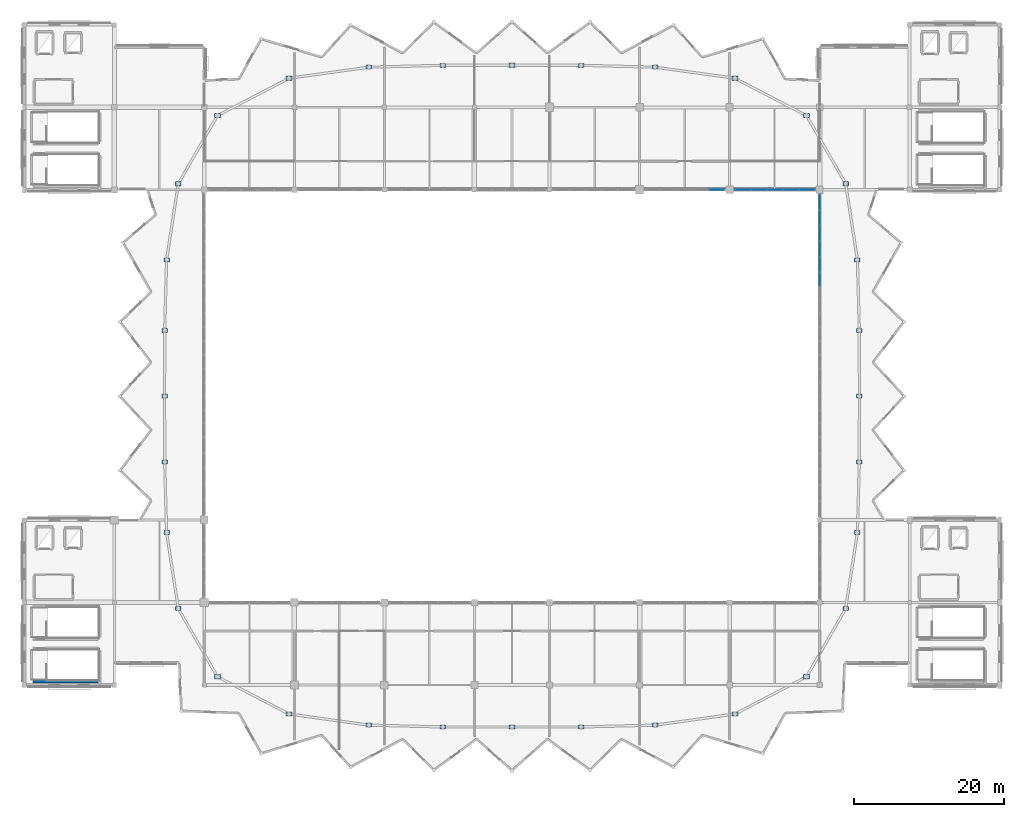
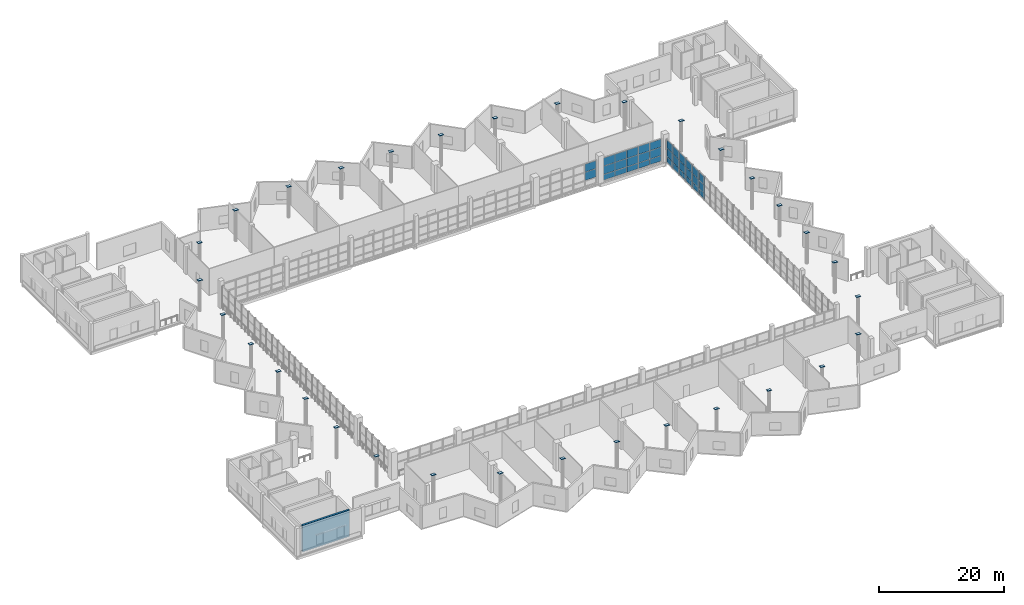
# One storey, part 35 of 49: 67 plates, 1 wall, 4 elements without a shape of their own.
"""IFC4 building model written with IfcOpenShell, lengths in metres."""

from ifc_helpers import new_model, si_unit, direction, frame, frame_2d, origin, origin_2d, place, context, subcontext, project, spatial, rectangle, extrude, material, layer, layer_set, type_object, element, aggregate, save


model = new_model("IFC4")

# Units and contexts
model_context = context("Model", 3, precision=1e-05, world=origin(), true_north=direction((0.0, 1.0)))
body_context = subcontext(model_context, "Body", "Model", "MODEL_VIEW")
ifc_project = project(units=[si_unit("LENGTHUNIT", "METRE"), si_unit("AREAUNIT", "SQUARE_METRE"), si_unit("VOLUMEUNIT", "CUBIC_METRE"), si_unit("PLANEANGLEUNIT", "RADIAN"), si_unit("MASSUNIT", "GRAM", prefix="KILO")], contexts=[model_context])

# Site, building, storey
site_placement = place(None, origin())
site = spatial("IfcSite", under=ifc_project, at=site_placement, CompositionType="ELEMENT")
building_placement = place(site_placement, origin())
building = spatial("IfcBuilding", under=site, at=building_placement, Name="Luwafu Chhajja Arena", CompositionType="ELEMENT")
storey_placement = place(building_placement, frame((0.0, 0.0, 24.300048828125)))
storey = spatial("IfcBuildingStorey", under=building, at=storey_placement, Name="L05", CompositionType="ELEMENT", Elevation=24.300048828125)

# Curtain wall, plates
ifc_material_1 = material(Name="Anodised bronze aluminium", Category="aluminium")
curtain_wall_type = type_object("IfcCurtainWallType", Name="VIP Club Terrace Curtain Wall", PredefinedType="USERDEFINED", material=ifc_material_1)
curtain_wall_1_placement = place(storey_placement, origin())
curtain_wall_1 = element("IfcCurtainWall", 1, at=curtain_wall_1_placement, inside=storey, type_object=curtain_wall_type, Name="L05 Bowl Viewing Curtain Wall CWR-L05-13", ObjectType="CURTAIN WALL", PredefinedType="USERDEFINED")
ifc_material_2 = material(Name="Solar-control laminated glass", Category="glass")
ifc_layer_1 = layer(ifc_material_2, 0.035888671875, Name="Solar-control laminated glass")
ifc_layer_set_1 = layer_set([ifc_layer_1], Name="Solar-control laminated glass")
plate_type_1 = type_object("IfcPlateType", Name="Acoustic Broadcast Double Glazed CW Panel 36", PredefinedType="CURTAIN_PANEL", material=ifc_layer_set_1)
plate_1_placement = place(storey_placement, frame((126.27685546875, 77.0, 1.182373046875), z_axis=(0.0, 0.0, 1.0), x_axis=(1.0, 0.0, 0.0)))
plate_1 = element("IfcPlate", 2, at=plate_1_placement, type_object=plate_type_1, Name="CW-10 panel 5.2", PredefinedType="CURTAIN_PANEL", context=body_context, shape_type="SweptSolid", body=[
    extrude(rectangle(XDim=2.03662109375, YDim=0.035888671875, at=origin_2d()), origin(), (0.0, 0.0, 1.0), 1.5849609375),
])
plate_2_placement = place(storey_placement, frame((126.27685546875, 77.0, 2.83251953125), z_axis=(0.0, 0.0, 1.0), x_axis=(1.0, 0.0, 0.0)))
plate_2 = element("IfcPlate", 3, at=plate_2_placement, type_object=plate_type_1, Name="CW-10 panel 5.3", PredefinedType="CURTAIN_PANEL", context=body_context, shape_type="SweptSolid", body=[
    extrude(rectangle(XDim=2.03662109375, YDim=0.035888671875, at=origin_2d()), origin(), (0.0, 0.0, 1.0), 1.552490234375),
])
aggregate(curtain_wall_1, [plate_1, plate_2])

curtain_wall_2_placement = place(storey_placement, origin())
curtain_wall_2 = element("IfcCurtainWall", 4, at=curtain_wall_2_placement, inside=storey, type_object=curtain_wall_type, Name="L05 Bowl Viewing Curtain Wall CWR-L05-14", ObjectType="CURTAIN WALL", PredefinedType="USERDEFINED")
plate_3_placement = place(storey_placement, frame((129.730712890625, 77.0, 0.06494140625), z_axis=(0.0, 0.0, 1.0), x_axis=(1.0, 0.0, 0.0)))
plate_3 = element("IfcPlate", 5, at=plate_3_placement, type_object=plate_type_1, Name="CW-10 panel 1.1", PredefinedType="CURTAIN_PANEL", context=body_context, shape_type="SweptSolid", body=[
    extrude(rectangle(XDim=2.051513671875, YDim=0.035888671875, at=origin_2d()), origin(), (0.0, 0.0, 1.0), 1.052490234375),
])
plate_4_placement = place(storey_placement, frame((129.730712890625, 77.0, 1.182373046875), z_axis=(0.0, 0.0, 1.0), x_axis=(1.0, 0.0, 0.0)))
plate_4 = element("IfcPlate", 6, at=plate_4_placement, type_object=plate_type_1, Name="CW-10 panel 1.2", PredefinedType="CURTAIN_PANEL", context=body_context, shape_type="SweptSolid", body=[
    extrude(rectangle(XDim=2.051513671875, YDim=0.035888671875, at=origin_2d()), origin(), (0.0, 0.0, 1.0), 1.5849609375),
])
plate_5_placement = place(storey_placement, frame((129.730712890625, 77.0, 2.83251953125), z_axis=(0.0, 0.0, 1.0), x_axis=(1.0, 0.0, 0.0)))
plate_5 = element("IfcPlate", 7, at=plate_5_placement, type_object=plate_type_1, Name="CW-10 panel 1.3", PredefinedType="CURTAIN_PANEL", context=body_context, shape_type="SweptSolid", body=[
    extrude(rectangle(XDim=2.051513671875, YDim=0.035888671875, at=origin_2d()), origin(), (0.0, 0.0, 1.0), 1.552490234375),
])
plate_6_placement = place(storey_placement, frame((131.863525390625, 77.0, 0.06494140625), z_axis=(0.0, 0.0, 1.0), x_axis=(1.0, 0.0, 0.0)))
plate_6 = element("IfcPlate", 8, at=plate_6_placement, type_object=plate_type_1, Name="CW-10 panel 2.1", PredefinedType="CURTAIN_PANEL", context=body_context, shape_type="SweptSolid", body=[
    extrude(rectangle(XDim=2.083984375, YDim=0.035888671875, at=origin_2d()), origin(), (0.0, 0.0, 1.0), 1.052490234375),
])
plate_7_placement = place(storey_placement, frame((131.863525390625, 77.0, 1.182373046875), z_axis=(0.0, 0.0, 1.0), x_axis=(1.0, 0.0, 0.0)))
plate_7 = element("IfcPlate", 9, at=plate_7_placement, type_object=plate_type_1, Name="CW-10 panel 2.2", PredefinedType="CURTAIN_PANEL", context=body_context, shape_type="SweptSolid", body=[
    extrude(rectangle(XDim=2.083984375, YDim=0.035888671875, at=origin_2d()), origin(), (0.0, 0.0, 1.0), 1.5849609375),
])
plate_8_placement = place(storey_placement, frame((131.863525390625, 77.0, 2.83251953125), z_axis=(0.0, 0.0, 1.0), x_axis=(1.0, 0.0, 0.0)))
plate_8 = element("IfcPlate", 10, at=plate_8_placement, type_object=plate_type_1, Name="CW-10 panel 2.3", PredefinedType="CURTAIN_PANEL", context=body_context, shape_type="SweptSolid", body=[
    extrude(rectangle(XDim=2.083984375, YDim=0.035888671875, at=origin_2d()), origin(), (0.0, 0.0, 1.0), 1.552490234375),
])
plate_9_placement = place(storey_placement, frame((134.012451171875, 77.0, 0.06494140625), z_axis=(0.0, 0.0, 1.0), x_axis=(1.0, 0.0, 0.0)))
plate_9 = element("IfcPlate", 11, at=plate_9_placement, type_object=plate_type_1, Name="CW-10 panel 3.1", PredefinedType="CURTAIN_PANEL", context=body_context, shape_type="SweptSolid", body=[
    extrude(rectangle(XDim=2.083984375, YDim=0.035888671875, at=origin_2d()), origin(), (0.0, 0.0, 1.0), 1.052490234375),
])
plate_10_placement = place(storey_placement, frame((134.012451171875, 77.0, 1.182373046875), z_axis=(0.0, 0.0, 1.0), x_axis=(1.0, 0.0, 0.0)))
plate_10 = element("IfcPlate", 12, at=plate_10_placement, type_object=plate_type_1, Name="CW-10 panel 3.2", PredefinedType="CURTAIN_PANEL", context=body_context, shape_type="SweptSolid", body=[
    extrude(rectangle(XDim=2.083984375, YDim=0.035888671875, at=origin_2d()), origin(), (0.0, 0.0, 1.0), 1.5849609375),
])
plate_11_placement = place(storey_placement, frame((134.012451171875, 77.0, 2.83251953125), z_axis=(0.0, 0.0, 1.0), x_axis=(1.0, 0.0, 0.0)))
plate_11 = element("IfcPlate", 13, at=plate_11_placement, type_object=plate_type_1, Name="CW-10 panel 3.3", PredefinedType="CURTAIN_PANEL", context=body_context, shape_type="SweptSolid", body=[
    extrude(rectangle(XDim=2.083984375, YDim=0.035888671875, at=origin_2d()), origin(), (0.0, 0.0, 1.0), 1.552490234375),
])
plate_12_placement = place(storey_placement, frame((136.16162109375, 77.0, 0.06494140625), z_axis=(0.0, 0.0, 1.0), x_axis=(1.0, 0.0, 0.0)))
plate_12 = element("IfcPlate", 14, at=plate_12_placement, type_object=plate_type_1, Name="CW-10 panel 4.1", PredefinedType="CURTAIN_PANEL", context=body_context, shape_type="SweptSolid", body=[
    extrude(rectangle(XDim=2.083984375, YDim=0.035888671875, at=origin_2d()), origin(), (0.0, 0.0, 1.0), 1.052490234375),
])
plate_13_placement = place(storey_placement, frame((136.16162109375, 77.0, 1.182373046875), z_axis=(0.0, 0.0, 1.0), x_axis=(1.0, 0.0, 0.0)))
plate_13 = element("IfcPlate", 15, at=plate_13_placement, type_object=plate_type_1, Name="CW-10 panel 4.2", PredefinedType="CURTAIN_PANEL", context=body_context, shape_type="SweptSolid", body=[
    extrude(rectangle(XDim=2.083984375, YDim=0.035888671875, at=origin_2d()), origin(), (0.0, 0.0, 1.0), 1.5849609375),
])
plate_14_placement = place(storey_placement, frame((136.16162109375, 77.0, 2.83251953125), z_axis=(0.0, 0.0, 1.0), x_axis=(1.0, 0.0, 0.0)))
plate_14 = element("IfcPlate", 16, at=plate_14_placement, type_object=plate_type_1, Name="CW-10 panel 4.3", PredefinedType="CURTAIN_PANEL", context=body_context, shape_type="SweptSolid", body=[
    extrude(rectangle(XDim=2.083984375, YDim=0.035888671875, at=origin_2d()), origin(), (0.0, 0.0, 1.0), 1.552490234375),
])
plate_15_placement = place(storey_placement, frame((138.294189453125, 77.0, 0.06494140625), z_axis=(0.0, 0.0, 1.0), x_axis=(1.0, 0.0, 0.0)))
plate_15 = element("IfcPlate", 17, at=plate_15_placement, type_object=plate_type_1, Name="CW-10 panel 5.1", PredefinedType="CURTAIN_PANEL", context=body_context, shape_type="SweptSolid", body=[
    extrude(rectangle(XDim=2.051513671875, YDim=0.035888671875, at=origin_2d()), origin(), (0.0, 0.0, 1.0), 1.052490234375),
])
plate_16_placement = place(storey_placement, frame((138.294189453125, 77.0, 1.182373046875), z_axis=(0.0, 0.0, 1.0), x_axis=(1.0, 0.0, 0.0)))
plate_16 = element("IfcPlate", 18, at=plate_16_placement, type_object=plate_type_1, Name="CW-10 panel 5.2", PredefinedType="CURTAIN_PANEL", context=body_context, shape_type="SweptSolid", body=[
    extrude(rectangle(XDim=2.051513671875, YDim=0.035888671875, at=origin_2d()), origin(), (0.0, 0.0, 1.0), 1.5849609375),
])
plate_17_placement = place(storey_placement, frame((138.294189453125, 77.0, 2.83251953125), z_axis=(0.0, 0.0, 1.0), x_axis=(1.0, 0.0, 0.0)))
plate_17 = element("IfcPlate", 19, at=plate_17_placement, type_object=plate_type_1, Name="CW-10 panel 5.3", PredefinedType="CURTAIN_PANEL", context=body_context, shape_type="SweptSolid", body=[
    extrude(rectangle(XDim=2.051513671875, YDim=0.035888671875, at=origin_2d()), origin(), (0.0, 0.0, 1.0), 1.552490234375),
])
aggregate(curtain_wall_2, [plate_3, plate_4, plate_5, plate_6, plate_7, plate_8, plate_9, plate_10, plate_11, plate_12, plate_13, plate_14, plate_15, plate_16, plate_17])

curtain_wall_3_placement = place(storey_placement, origin())
curtain_wall_3 = element("IfcCurtainWall", 20, at=curtain_wall_3_placement, inside=storey, type_object=curtain_wall_type, Name="L05 Bowl Viewing Curtain Wall CWR-L05-23", ObjectType="CURTAIN WALL", PredefinedType="USERDEFINED")
plate_18_placement = place(storey_placement, frame((140.0, 65.067138671875, 0.06494140625), z_axis=(0.0, 0.0, 1.0), x_axis=(0.0, 1.0, 0.0)))
plate_18 = element("IfcPlate", 21, at=plate_18_placement, type_object=plate_type_1, Name="CW-10 panel 6.1", PredefinedType="CURTAIN_PANEL", context=body_context, shape_type="SweptSolid", body=[
    extrude(rectangle(XDim=1.73583984375, YDim=0.035888671875, at=origin_2d()), origin(), (0.0, 0.0, 1.0), 1.052490234375),
])
plate_19_placement = place(storey_placement, frame((140.0, 65.067138671875, 1.182373046875), z_axis=(0.0, 0.0, 1.0), x_axis=(0.0, 1.0, 0.0)))
plate_19 = element("IfcPlate", 22, at=plate_19_placement, type_object=plate_type_1, Name="CW-10 panel 6.2", PredefinedType="CURTAIN_PANEL", context=body_context, shape_type="SweptSolid", body=[
    extrude(rectangle(XDim=1.73583984375, YDim=0.035888671875, at=origin_2d()), origin(), (0.0, 0.0, 1.0), 1.5849609375),
])
plate_20_placement = place(storey_placement, frame((140.0, 65.067138671875, 2.83251953125), z_axis=(0.0, 0.0, 1.0), x_axis=(0.0, 1.0, 0.0)))
plate_20 = element("IfcPlate", 23, at=plate_20_placement, type_object=plate_type_1, Name="CW-10 panel 6.3", PredefinedType="CURTAIN_PANEL", context=body_context, shape_type="SweptSolid", body=[
    extrude(rectangle(XDim=1.73583984375, YDim=0.035888671875, at=origin_2d()), origin(), (0.0, 0.0, 1.0), 1.552490234375),
])
aggregate(curtain_wall_3, [plate_18, plate_19, plate_20])

curtain_wall_4_placement = place(storey_placement, origin())
curtain_wall_4 = element("IfcCurtainWall", 24, at=curtain_wall_4_placement, inside=storey, type_object=curtain_wall_type, Name="L05 Bowl Viewing Curtain Wall CWR-L05-24", ObjectType="CURTAIN WALL", PredefinedType="USERDEFINED")
plate_21_placement = place(storey_placement, frame((140.0, 67.0546875, 0.06494140625), z_axis=(0.0, 0.0, 1.0), x_axis=(0.0, 1.0, 0.0)))
plate_21 = element("IfcPlate", 25, at=plate_21_placement, type_object=plate_type_1, Name="CW-10 panel 1.1", PredefinedType="CURTAIN_PANEL", context=body_context, shape_type="SweptSolid", body=[
    extrude(rectangle(XDim=1.9794921875, YDim=0.035888671875, at=origin_2d()), origin(), (0.0, 0.0, 1.0), 1.052490234375),
])
plate_22_placement = place(storey_placement, frame((140.0, 67.0546875, 1.182373046875), z_axis=(0.0, 0.0, 1.0), x_axis=(0.0, 1.0, 0.0)))
plate_22 = element("IfcPlate", 26, at=plate_22_placement, type_object=plate_type_1, Name="CW-10 panel 1.2", PredefinedType="CURTAIN_PANEL", context=body_context, shape_type="SweptSolid", body=[
    extrude(rectangle(XDim=1.9794921875, YDim=0.035888671875, at=origin_2d()), origin(), (0.0, 0.0, 1.0), 1.5849609375),
])
plate_23_placement = place(storey_placement, frame((140.0, 67.0546875, 2.83251953125), z_axis=(0.0, 0.0, 1.0), x_axis=(0.0, 1.0, 0.0)))
plate_23 = element("IfcPlate", 27, at=plate_23_placement, type_object=plate_type_1, Name="CW-10 panel 1.3", PredefinedType="CURTAIN_PANEL", context=body_context, shape_type="SweptSolid", body=[
    extrude(rectangle(XDim=1.9794921875, YDim=0.035888671875, at=origin_2d()), origin(), (0.0, 0.0, 1.0), 1.552490234375),
])
plate_24_placement = place(storey_placement, frame((140.0, 69.115478515625, 0.06494140625), z_axis=(0.0, 0.0, 1.0), x_axis=(0.0, 1.0, 0.0)))
plate_24 = element("IfcPlate", 28, at=plate_24_placement, type_object=plate_type_1, Name="CW-10 panel 2.1", PredefinedType="CURTAIN_PANEL", context=body_context, shape_type="SweptSolid", body=[
    extrude(rectangle(XDim=2.011962890625, YDim=0.035888671875, at=origin_2d()), origin(), (0.0, 0.0, 1.0), 1.052490234375),
])
plate_25_placement = place(storey_placement, frame((140.0, 69.115478515625, 1.182373046875), z_axis=(0.0, 0.0, 1.0), x_axis=(0.0, 1.0, 0.0)))
plate_25 = element("IfcPlate", 29, at=plate_25_placement, type_object=plate_type_1, Name="CW-10 panel 2.2", PredefinedType="CURTAIN_PANEL", context=body_context, shape_type="SweptSolid", body=[
    extrude(rectangle(XDim=2.011962890625, YDim=0.035888671875, at=origin_2d()), origin(), (0.0, 0.0, 1.0), 1.5849609375),
])
plate_26_placement = place(storey_placement, frame((140.0, 69.115478515625, 2.83251953125), z_axis=(0.0, 0.0, 1.0), x_axis=(0.0, 1.0, 0.0)))
plate_26 = element("IfcPlate", 30, at=plate_26_placement, type_object=plate_type_1, Name="CW-10 panel 2.3", PredefinedType="CURTAIN_PANEL", context=body_context, shape_type="SweptSolid", body=[
    extrude(rectangle(XDim=2.011962890625, YDim=0.035888671875, at=origin_2d()), origin(), (0.0, 0.0, 1.0), 1.552490234375),
])
plate_27_placement = place(storey_placement, frame((140.0, 71.1923828125, 0.06494140625), z_axis=(0.0, 0.0, 1.0), x_axis=(0.0, 1.0, 0.0)))
plate_27 = element("IfcPlate", 31, at=plate_27_placement, type_object=plate_type_1, Name="CW-10 panel 3.1", PredefinedType="CURTAIN_PANEL", context=body_context, shape_type="SweptSolid", body=[
    extrude(rectangle(XDim=2.011962890625, YDim=0.035888671875, at=origin_2d()), origin(), (0.0, 0.0, 1.0), 1.052490234375),
])
plate_28_placement = place(storey_placement, frame((140.0, 71.1923828125, 1.182373046875), z_axis=(0.0, 0.0, 1.0), x_axis=(0.0, 1.0, 0.0)))
plate_28 = element("IfcPlate", 32, at=plate_28_placement, type_object=plate_type_1, Name="CW-10 panel 3.2", PredefinedType="CURTAIN_PANEL", context=body_context, shape_type="SweptSolid", body=[
    extrude(rectangle(XDim=2.011962890625, YDim=0.035888671875, at=origin_2d()), origin(), (0.0, 0.0, 1.0), 1.5849609375),
])
plate_29_placement = place(storey_placement, frame((140.0, 71.1923828125, 2.83251953125), z_axis=(0.0, 0.0, 1.0), x_axis=(0.0, 1.0, 0.0)))
plate_29 = element("IfcPlate", 33, at=plate_29_placement, type_object=plate_type_1, Name="CW-10 panel 3.3", PredefinedType="CURTAIN_PANEL", context=body_context, shape_type="SweptSolid", body=[
    extrude(rectangle(XDim=2.011962890625, YDim=0.035888671875, at=origin_2d()), origin(), (0.0, 0.0, 1.0), 1.552490234375),
])
plate_30_placement = place(storey_placement, frame((140.0, 73.26953125, 0.06494140625), z_axis=(0.0, 0.0, 1.0), x_axis=(0.0, 1.0, 0.0)))
plate_30 = element("IfcPlate", 34, at=plate_30_placement, type_object=plate_type_1, Name="CW-10 panel 4.1", PredefinedType="CURTAIN_PANEL", context=body_context, shape_type="SweptSolid", body=[
    extrude(rectangle(XDim=2.011962890625, YDim=0.035888671875, at=origin_2d()), origin(), (0.0, 0.0, 1.0), 1.052490234375),
])
plate_31_placement = place(storey_placement, frame((140.0, 73.26953125, 1.182373046875), z_axis=(0.0, 0.0, 1.0), x_axis=(0.0, 1.0, 0.0)))
plate_31 = element("IfcPlate", 35, at=plate_31_placement, type_object=plate_type_1, Name="CW-10 panel 4.2", PredefinedType="CURTAIN_PANEL", context=body_context, shape_type="SweptSolid", body=[
    extrude(rectangle(XDim=2.011962890625, YDim=0.035888671875, at=origin_2d()), origin(), (0.0, 0.0, 1.0), 1.5849609375),
])
plate_32_placement = place(storey_placement, frame((140.0, 73.26953125, 2.83251953125), z_axis=(0.0, 0.0, 1.0), x_axis=(0.0, 1.0, 0.0)))
plate_32 = element("IfcPlate", 36, at=plate_32_placement, type_object=plate_type_1, Name="CW-10 panel 4.3", PredefinedType="CURTAIN_PANEL", context=body_context, shape_type="SweptSolid", body=[
    extrude(rectangle(XDim=2.011962890625, YDim=0.035888671875, at=origin_2d()), origin(), (0.0, 0.0, 1.0), 1.552490234375),
])
plate_33_placement = place(storey_placement, frame((140.0, 75.330322265625, 0.06494140625), z_axis=(0.0, 0.0, 1.0), x_axis=(0.0, 1.0, 0.0)))
plate_33 = element("IfcPlate", 37, at=plate_33_placement, type_object=plate_type_1, Name="CW-10 panel 5.1", PredefinedType="CURTAIN_PANEL", context=body_context, shape_type="SweptSolid", body=[
    extrude(rectangle(XDim=1.9794921875, YDim=0.035888671875, at=origin_2d()), origin(), (0.0, 0.0, 1.0), 1.052490234375),
])
plate_34_placement = place(storey_placement, frame((140.0, 75.330322265625, 1.182373046875), z_axis=(0.0, 0.0, 1.0), x_axis=(0.0, 1.0, 0.0)))
plate_34 = element("IfcPlate", 38, at=plate_34_placement, type_object=plate_type_1, Name="CW-10 panel 5.2", PredefinedType="CURTAIN_PANEL", context=body_context, shape_type="SweptSolid", body=[
    extrude(rectangle(XDim=1.9794921875, YDim=0.035888671875, at=origin_2d()), origin(), (0.0, 0.0, 1.0), 1.5849609375),
])
plate_35_placement = place(storey_placement, frame((140.0, 75.330322265625, 2.83251953125), z_axis=(0.0, 0.0, 1.0), x_axis=(0.0, 1.0, 0.0)))
plate_35 = element("IfcPlate", 39, at=plate_35_placement, type_object=plate_type_1, Name="CW-10 panel 5.3", PredefinedType="CURTAIN_PANEL", context=body_context, shape_type="SweptSolid", body=[
    extrude(rectangle(XDim=1.9794921875, YDim=0.035888671875, at=origin_2d()), origin(), (0.0, 0.0, 1.0), 1.552490234375),
])
aggregate(curtain_wall_4, [plate_21, plate_22, plate_23, plate_24, plate_25, plate_26, plate_27, plate_28, plate_29, plate_30, plate_31, plate_32, plate_33, plate_34, plate_35])

# Plates
ifc_material_3 = material(Name="Steel S355", Category="steel")
ifc_layer_2 = layer(ifc_material_3, 0.02490234375, Name="Steel S355")
ifc_layer_set_2 = layer_set([ifc_layer_2], Name="Steel S355")
plate_type_2 = type_object("IfcPlateType", Name="Folded Roof Ridge Node Cap Plate FN-1", PredefinedType="USERDEFINED", material=ifc_layer_set_2)
for number, where, z_axis, x_axis, name in (
    (40, (145.300048828125, 49.5, 6.050048828125), (0.0, 0.0, 1.0), (1.0, 0.0, 0.0), "Drum Column Top Cap Plate FN-1 01"),
    (41, (145.28759765625, 58.269775390625, 6.050048828125), (0.0, 0.0, 1.0), (1.0, 0.0, 0.0), "Drum Column Top Cap Plate FN-1 02"),
    (42, (145.031982421875, 67.6611328125, 6.050048828125), (0.0, 0.0, 1.0), (1.0, 0.0, 0.0), "Drum Column Top Cap Plate FN-1 03"),
    (43, (143.47607421875, 77.805908203125, 6.050048828125), (0.0, 0.0, 1.0), (1.0, 0.0, 0.0), "Drum Column Top Cap Plate FN-1 04"),
    (44, (138.256103515625, 86.890869140625, 6.050048828125), (0.0, 0.0, 1.0), (1.0, 0.0, 0.0), "Drum Column Top Cap Plate FN-1 05"),
    (45, (128.718017578125, 91.86279296875, 6.050048828125), (0.0, 0.0, 1.0), (1.0, 0.0, 0.0), "Drum Column Top Cap Plate FN-1 06"),
    (46, (118.067138671875, 93.3447265625, 6.050048828125), (0.0, 0.0, 1.0), (1.0, 0.0, 0.0), "Drum Column Top Cap Plate FN-1 07"),
    (47, (108.207275390625, 93.588134765625, 6.050048828125), (0.0, 0.0, 1.0), (1.0, 0.0, 0.0), "Drum Column Top Cap Plate FN-1 08"),
    (48, (99.0, 93.60009765625, 6.050048828125), (0.0, 0.0, 1.0), (1.0, 0.0, 0.0), "Drum Column Top Cap Plate FN-1 09"),
    (49, (89.792724609375, 93.588134765625, 6.050048828125), (0.0, 0.0, 1.0), (1.0, 0.0, 0.0), "Drum Column Top Cap Plate FN-1 10"),
    (50, (79.932861328125, 93.3447265625, 6.050048828125), (0.0, 0.0, 1.0), (1.0, 0.0, 0.0), "Drum Column Top Cap Plate FN-1 11"),
    (51, (69.281982421875, 91.86279296875, 6.050048828125), (0.0, 0.0, 1.0), (1.0, 0.0, 0.0), "Drum Column Top Cap Plate FN-1 12"),
    (52, (59.743896484375, 86.890869140625, 6.050048828125), (0.0, 0.0, 1.0), (1.0, 0.0, 0.0), "Drum Column Top Cap Plate FN-1 13"),
    (53, (54.52392578125, 77.805908203125, 6.050048828125), (0.0, 0.0, 1.0), (1.0, 0.0, 0.0), "Drum Column Top Cap Plate FN-1 14"),
    (54, (52.968017578125, 67.6611328125, 6.050048828125), (0.0, 0.0, 1.0), (1.0, 0.0, 0.0), "Drum Column Top Cap Plate FN-1 15"),
    (55, (52.71240234375, 58.269775390625, 6.050048828125), (0.0, 0.0, 1.0), (1.0, 0.0, 0.0), "Drum Column Top Cap Plate FN-1 16"),
    (56, (52.699951171875, 49.5, 6.050048828125), (0.0, 0.0, 1.0), (1.0, 0.0, 0.0), "Drum Column Top Cap Plate FN-1 17"),
    (57, (52.71240234375, 40.730224609375, 6.050048828125), (0.0, 0.0, 1.0), (1.0, 0.0, 0.0), "Drum Column Top Cap Plate FN-1 18"),
    (58, (52.968017578125, 31.3388671875, 6.050048828125), (0.0, 0.0, 1.0), (1.0, 0.0, 0.0), "Drum Column Top Cap Plate FN-1 19"),
    (59, (54.52392578125, 21.194091796875, 6.050048828125), (0.0, 0.0, 1.0), (1.0, 0.0, 0.0), "Drum Column Top Cap Plate FN-1 20"),
    (60, (59.743896484375, 12.109130859375, 6.050048828125), (0.0, 0.0, 1.0), (1.0, 0.0, 0.0), "Drum Column Top Cap Plate FN-1 21"),
    (61, (69.281982421875, 7.13720703125, 6.050048828125), (0.0, 0.0, 1.0), (1.0, 0.0, 0.0), "Drum Column Top Cap Plate FN-1 22"),
    (62, (79.932861328125, 5.6552734375, 6.050048828125), (0.0, 0.0, 1.0), (1.0, 0.0, 0.0), "Drum Column Top Cap Plate FN-1 23"),
    (63, (89.792724609375, 5.411865234375, 6.050048828125), (0.0, 0.0, 1.0), (1.0, 0.0, 0.0), "Drum Column Top Cap Plate FN-1 24"),
    (64, (99.0, 5.39990234375, 6.050048828125), (0.0, 0.0, 1.0), (1.0, 0.0, 0.0), "Drum Column Top Cap Plate FN-1 25"),
    (65, (108.207275390625, 5.411865234375, 6.050048828125), (0.0, 0.0, 1.0), (1.0, 0.0, 0.0), "Drum Column Top Cap Plate FN-1 26"),
    (66, (118.067138671875, 5.6552734375, 6.050048828125), (0.0, 0.0, 1.0), (1.0, 0.0, 0.0), "Drum Column Top Cap Plate FN-1 27"),
    (67, (128.718017578125, 7.13720703125, 6.050048828125), (0.0, 0.0, 1.0), (1.0, 0.0, 0.0), "Drum Column Top Cap Plate FN-1 28"),
    (68, (138.256103515625, 12.109130859375, 6.050048828125), (0.0, 0.0, 1.0), (1.0, 0.0, 0.0), "Drum Column Top Cap Plate FN-1 29"),
    (69, (143.47607421875, 21.194091796875, 6.050048828125), (0.0, 0.0, 1.0), (1.0, 0.0, 0.0), "Drum Column Top Cap Plate FN-1 30"),
    (70, (145.031982421875, 31.3388671875, 6.050048828125), (0.0, 0.0, 1.0), (1.0, 0.0, 0.0), "Drum Column Top Cap Plate FN-1 31"),
    (71, (145.28759765625, 40.730224609375, 6.050048828125), (0.0, 0.0, 1.0), (1.0, 0.0, 0.0), "Drum Column Top Cap Plate FN-1 32"),
):
    element("IfcPlate", number, at=place(storey_placement, frame(where, z_axis=z_axis, x_axis=x_axis)), inside=storey, type_object=plate_type_2, Name=name, ObjectType="GUSSET PLATE", PredefinedType="USERDEFINED", context=body_context, shape_type="SweptSolid", body=[
        extrude(rectangle(XDim=0.75, YDim=0.550048828125, at=origin_2d()), origin(), (0.0, 0.0, 1.0), 0.02490234375),
    ])

# Wall
ifc_material_4 = material(Name="Concrete C40/50", Category="concrete")
ifc_layer_3 = layer(ifc_material_4, 0.35009765625, Name="Concrete C40/50")
ifc_layer_set_3 = layer_set([ifc_layer_3], Name="Concrete C40/50")
wall_type = type_object("IfcWallType", Name="RC Core Shear Wall 350", PredefinedType="SOLIDWALL", material=ifc_layer_set_3)
wall_placement = place(storey_placement, frame((35.14990234375, 11.47802734375, 0.0), z_axis=(0.0, 0.0, 1.0), x_axis=(1.0, 0.0, 0.0)))
element("IfcWall", 72, at=wall_placement, inside=storey, type_object=wall_type, Name="L05 Stair ST-01 Core Shear Wall S", PredefinedType="SOLIDWALL", context=body_context, shape_type="SweptSolid", body=[
    extrude(rectangle(XDim=8.7001953125, YDim=0.35009765625, at=frame_2d((4.35009765625, 0.0))), origin(), (0.0, 0.0, 1.0), 5.179931640625),
])

save(model, "model.ifc")
